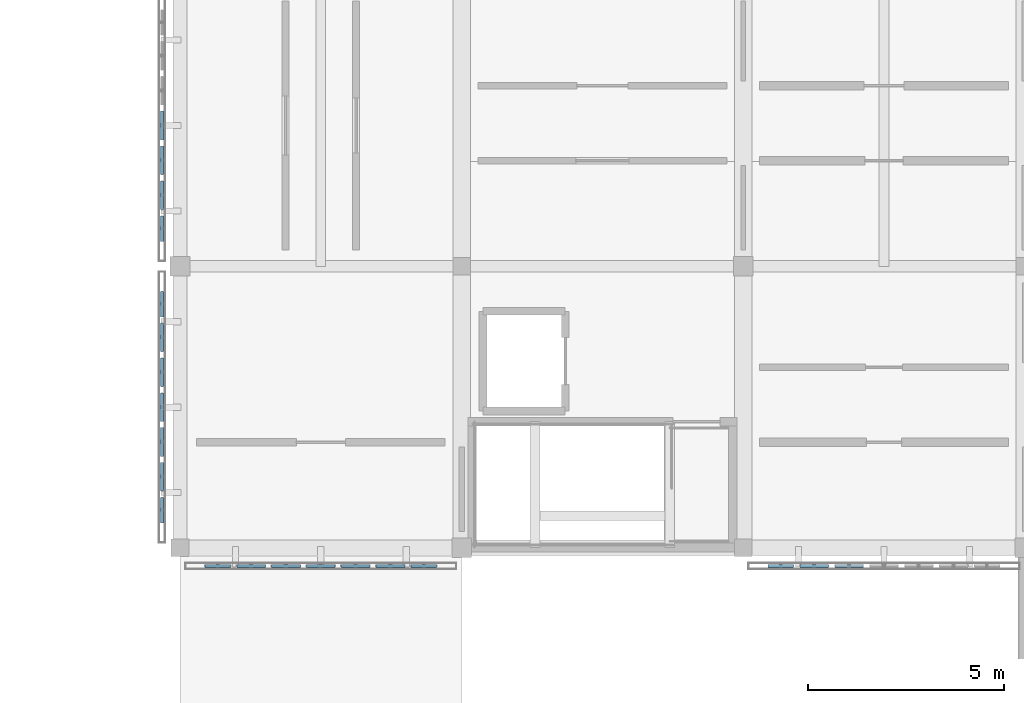
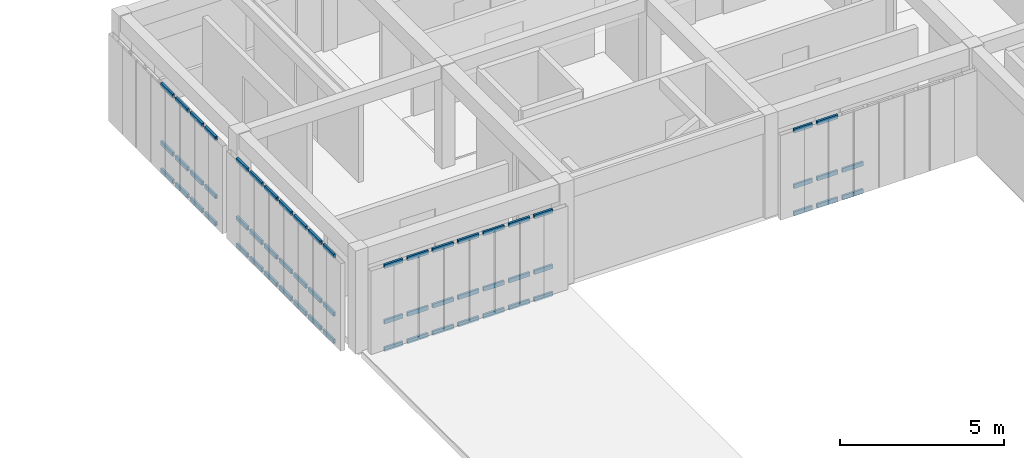
# One storey, part 13 of 33: 62 members, 4 elements without a shape of their own.
"""IFC4 building model written with IfcOpenShell, lengths in metres."""

from ifc_helpers import new_model, si_unit, direction, frame, origin, origin_2d, place, context, subcontext, project, spatial, hollow_rectangle, extrude, material, material_profile, profile_set, type_object, element, aggregate, save


model = new_model("IFC4")

# Units and contexts
model_context = context("Model", 3, precision=1e-05, world=origin(), true_north=direction((0.0, 1.0)))
body_context = subcontext(model_context, "Body", "Model", "MODEL_VIEW")
ifc_project = project(units=[si_unit("LENGTHUNIT", "METRE"), si_unit("AREAUNIT", "SQUARE_METRE"), si_unit("VOLUMEUNIT", "CUBIC_METRE"), si_unit("PLANEANGLEUNIT", "RADIAN"), si_unit("MASSUNIT", "GRAM", prefix="KILO")], contexts=[model_context])

# Site, building, storey
site_placement = place(None, origin())
site = spatial("IfcSite", under=ifc_project, at=site_placement, CompositionType="ELEMENT")
building_placement = place(site_placement, origin())
building = spatial("IfcBuilding", under=site, at=building_placement, Name="Aldebral Square Health Centre", CompositionType="ELEMENT")
storey_placement = place(building_placement, frame((0.0, 0.0, 17.550048828125)))
storey = spatial("IfcBuildingStorey", under=building, at=storey_placement, Name="L04", CompositionType="ELEMENT", Elevation=17.550048828125)

# Curtain wall, members
ifc_material_1 = material(Name="Aluminium and low-E solar glass", Category="aluminium")
curtain_wall_type = type_object("IfcCurtainWallType", Name="CW-FIN-SYS", PredefinedType="USERDEFINED", material=ifc_material_1)
curtain_wall_1_placement = place(storey_placement, origin())
curtain_wall_1 = element("IfcCurtainWall", 1, at=curtain_wall_1_placement, inside=storey, type_object=curtain_wall_type, Name="L04 V5 finned curtain wall L04-V5-19-14-S", ObjectType="SOLAR_CURTAIN_WALL", PredefinedType="USERDEFINED")
ifc_material_2 = material(Name="Anodised aluminium transom", Category="aluminium")
ifc_material_profile = material_profile(ifc_material_2, hollow_rectangle(XDim=0.074951171875, YDim=0.14990234375, WallThickness=0.00390625, at=origin_2d()), Name="CWT 75x150x4")
ifc_profile_set = profile_set([ifc_material_profile], Name="Anodised aluminium transom")
member_type = type_object("IfcMemberType", Name="CWT-STD", PredefinedType="USERDEFINED", material=ifc_profile_set)
member_1_placement = place(storey_placement, frame((137.43994140625, 100.340087890625, 0.037353515625), z_axis=(1.0, 0.0, 0.0), x_axis=(0.0, 1.0, 0.0)))
member_1 = element("IfcMember", 2, at=member_1_placement, type_object=member_type, Name="CW1 transom 1.1", ObjectType="TRANSOM", PredefinedType="USERDEFINED", context=body_context, shape_type="SweptSolid", body=[
    extrude(hollow_rectangle(XDim=0.074951171875, YDim=0.14990234375, WallThickness=0.00390625, at=origin_2d()), origin(), (0.0, 0.0, 1.0), 0.6513671875),
])
member_2_placement = place(storey_placement, frame((137.43994140625, 100.340087890625, 1.050048828125), z_axis=(1.0, 0.0, 0.0), x_axis=(0.0, 1.0, 0.0)))
member_2 = element("IfcMember", 3, at=member_2_placement, type_object=member_type, Name="CW1 transom 1.2", ObjectType="TRANSOM", PredefinedType="USERDEFINED", context=body_context, shape_type="SweptSolid", body=[
    extrude(hollow_rectangle(XDim=0.074951171875, YDim=0.14990234375, WallThickness=0.00390625, at=origin_2d()), origin(), (0.0, 0.0, 1.0), 0.6513671875),
])
member_3_placement = place(storey_placement, frame((137.43994140625, 100.340087890625, 3.112548828125), z_axis=(1.0, 0.0, 0.0), x_axis=(0.0, 1.0, 0.0)))
member_3 = element("IfcMember", 4, at=member_3_placement, type_object=member_type, Name="CW1 transom 1.3", ObjectType="TRANSOM", PredefinedType="USERDEFINED", context=body_context, shape_type="SweptSolid", body=[
    extrude(hollow_rectangle(XDim=0.074951171875, YDim=0.14990234375, WallThickness=0.00390625, at=origin_2d()), origin(), (0.0, 0.0, 1.0), 0.6513671875),
])
member_4_placement = place(storey_placement, frame((138.25146484375, 100.340087890625, 0.037353515625), z_axis=(1.0, 0.0, 0.0), x_axis=(0.0, 1.0, 0.0)))
member_4 = element("IfcMember", 5, at=member_4_placement, type_object=member_type, Name="CW1 transom 2.1", ObjectType="TRANSOM", PredefinedType="USERDEFINED", context=body_context, shape_type="SweptSolid", body=[
    extrude(hollow_rectangle(XDim=0.074951171875, YDim=0.14990234375, WallThickness=0.00390625, at=origin_2d()), origin(), (0.0, 0.0, 1.0), 0.7314453125),
])
member_5_placement = place(storey_placement, frame((138.25146484375, 100.340087890625, 1.050048828125), z_axis=(1.0, 0.0, 0.0), x_axis=(0.0, 1.0, 0.0)))
member_5 = element("IfcMember", 6, at=member_5_placement, type_object=member_type, Name="CW1 transom 2.2", ObjectType="TRANSOM", PredefinedType="USERDEFINED", context=body_context, shape_type="SweptSolid", body=[
    extrude(hollow_rectangle(XDim=0.074951171875, YDim=0.14990234375, WallThickness=0.00390625, at=origin_2d()), origin(), (0.0, 0.0, 1.0), 0.7314453125),
])
member_6_placement = place(storey_placement, frame((138.25146484375, 100.340087890625, 3.112548828125), z_axis=(1.0, 0.0, 0.0), x_axis=(0.0, 1.0, 0.0)))
member_6 = element("IfcMember", 7, at=member_6_placement, type_object=member_type, Name="CW1 transom 2.3", ObjectType="TRANSOM", PredefinedType="USERDEFINED", context=body_context, shape_type="SweptSolid", body=[
    extrude(hollow_rectangle(XDim=0.074951171875, YDim=0.14990234375, WallThickness=0.00390625, at=origin_2d()), origin(), (0.0, 0.0, 1.0), 0.7314453125),
])
member_7_placement = place(storey_placement, frame((139.142822265625, 100.340087890625, 0.037353515625), z_axis=(1.0, 0.0, 0.0), x_axis=(0.0, 1.0, 0.0)))
member_7 = element("IfcMember", 8, at=member_7_placement, type_object=member_type, Name="CW1 transom 3.1", ObjectType="TRANSOM", PredefinedType="USERDEFINED", context=body_context, shape_type="SweptSolid", body=[
    extrude(hollow_rectangle(XDim=0.074951171875, YDim=0.14990234375, WallThickness=0.00390625, at=origin_2d()), origin(), (0.0, 0.0, 1.0), 0.7314453125),
])
member_8_placement = place(storey_placement, frame((139.142822265625, 100.340087890625, 1.050048828125), z_axis=(1.0, 0.0, 0.0), x_axis=(0.0, 1.0, 0.0)))
member_8 = element("IfcMember", 9, at=member_8_placement, type_object=member_type, Name="CW1 transom 3.2", ObjectType="TRANSOM", PredefinedType="USERDEFINED", context=body_context, shape_type="SweptSolid", body=[
    extrude(hollow_rectangle(XDim=0.074951171875, YDim=0.14990234375, WallThickness=0.00390625, at=origin_2d()), origin(), (0.0, 0.0, 1.0), 0.7314453125),
])
member_9_placement = place(storey_placement, frame((139.142822265625, 100.340087890625, 3.112548828125), z_axis=(1.0, 0.0, 0.0), x_axis=(0.0, 1.0, 0.0)))
member_9 = element("IfcMember", 10, at=member_9_placement, type_object=member_type, Name="CW1 transom 3.3", ObjectType="TRANSOM", PredefinedType="USERDEFINED", context=body_context, shape_type="SweptSolid", body=[
    extrude(hollow_rectangle(XDim=0.074951171875, YDim=0.14990234375, WallThickness=0.00390625, at=origin_2d()), origin(), (0.0, 0.0, 1.0), 0.7314453125),
])
member_10_placement = place(storey_placement, frame((140.0341796875, 100.340087890625, 0.037353515625), z_axis=(1.0, 0.0, 0.0), x_axis=(0.0, 1.0, 0.0)))
member_10 = element("IfcMember", 11, at=member_10_placement, type_object=member_type, Name="CW1 transom 4.1", ObjectType="TRANSOM", PredefinedType="USERDEFINED", context=body_context, shape_type="SweptSolid", body=[
    extrude(hollow_rectangle(XDim=0.074951171875, YDim=0.14990234375, WallThickness=0.00390625, at=origin_2d()), origin(), (0.0, 0.0, 1.0), 0.7314453125),
])
member_11_placement = place(storey_placement, frame((140.0341796875, 100.340087890625, 1.050048828125), z_axis=(1.0, 0.0, 0.0), x_axis=(0.0, 1.0, 0.0)))
member_11 = element("IfcMember", 12, at=member_11_placement, type_object=member_type, Name="CW1 transom 4.2", ObjectType="TRANSOM", PredefinedType="USERDEFINED", context=body_context, shape_type="SweptSolid", body=[
    extrude(hollow_rectangle(XDim=0.074951171875, YDim=0.14990234375, WallThickness=0.00390625, at=origin_2d()), origin(), (0.0, 0.0, 1.0), 0.7314453125),
])
member_12_placement = place(storey_placement, frame((140.0341796875, 100.340087890625, 3.112548828125), z_axis=(1.0, 0.0, 0.0), x_axis=(0.0, 1.0, 0.0)))
member_12 = element("IfcMember", 13, at=member_12_placement, type_object=member_type, Name="CW1 transom 4.3", ObjectType="TRANSOM", PredefinedType="USERDEFINED", context=body_context, shape_type="SweptSolid", body=[
    extrude(hollow_rectangle(XDim=0.074951171875, YDim=0.14990234375, WallThickness=0.00390625, at=origin_2d()), origin(), (0.0, 0.0, 1.0), 0.7314453125),
])
member_13_placement = place(storey_placement, frame((140.92578125, 100.340087890625, 0.037353515625), z_axis=(1.0, 0.0, 0.0), x_axis=(0.0, 1.0, 0.0)))
member_13 = element("IfcMember", 14, at=member_13_placement, type_object=member_type, Name="CW1 transom 5.1", ObjectType="TRANSOM", PredefinedType="USERDEFINED", context=body_context, shape_type="SweptSolid", body=[
    extrude(hollow_rectangle(XDim=0.074951171875, YDim=0.14990234375, WallThickness=0.00390625, at=origin_2d()), origin(), (0.0, 0.0, 1.0), 0.7314453125),
])
member_14_placement = place(storey_placement, frame((140.92578125, 100.340087890625, 1.050048828125), z_axis=(1.0, 0.0, 0.0), x_axis=(0.0, 1.0, 0.0)))
member_14 = element("IfcMember", 15, at=member_14_placement, type_object=member_type, Name="CW1 transom 5.2", ObjectType="TRANSOM", PredefinedType="USERDEFINED", context=body_context, shape_type="SweptSolid", body=[
    extrude(hollow_rectangle(XDim=0.074951171875, YDim=0.14990234375, WallThickness=0.00390625, at=origin_2d()), origin(), (0.0, 0.0, 1.0), 0.7314453125),
])
member_15_placement = place(storey_placement, frame((140.92578125, 100.340087890625, 3.112548828125), z_axis=(1.0, 0.0, 0.0), x_axis=(0.0, 1.0, 0.0)))
member_15 = element("IfcMember", 16, at=member_15_placement, type_object=member_type, Name="CW1 transom 5.3", ObjectType="TRANSOM", PredefinedType="USERDEFINED", context=body_context, shape_type="SweptSolid", body=[
    extrude(hollow_rectangle(XDim=0.074951171875, YDim=0.14990234375, WallThickness=0.00390625, at=origin_2d()), origin(), (0.0, 0.0, 1.0), 0.7314453125),
])
member_16_placement = place(storey_placement, frame((141.817138671875, 100.340087890625, 0.037353515625), z_axis=(1.0, 0.0, 0.0), x_axis=(0.0, 1.0, 0.0)))
member_16 = element("IfcMember", 17, at=member_16_placement, type_object=member_type, Name="CW1 transom 6.1", ObjectType="TRANSOM", PredefinedType="USERDEFINED", context=body_context, shape_type="SweptSolid", body=[
    extrude(hollow_rectangle(XDim=0.074951171875, YDim=0.14990234375, WallThickness=0.00390625, at=origin_2d()), origin(), (0.0, 0.0, 1.0), 0.7314453125),
])
member_17_placement = place(storey_placement, frame((141.817138671875, 100.340087890625, 1.050048828125), z_axis=(1.0, 0.0, 0.0), x_axis=(0.0, 1.0, 0.0)))
member_17 = element("IfcMember", 18, at=member_17_placement, type_object=member_type, Name="CW1 transom 6.2", ObjectType="TRANSOM", PredefinedType="USERDEFINED", context=body_context, shape_type="SweptSolid", body=[
    extrude(hollow_rectangle(XDim=0.074951171875, YDim=0.14990234375, WallThickness=0.00390625, at=origin_2d()), origin(), (0.0, 0.0, 1.0), 0.7314453125),
])
member_18_placement = place(storey_placement, frame((141.817138671875, 100.340087890625, 3.112548828125), z_axis=(1.0, 0.0, 0.0), x_axis=(0.0, 1.0, 0.0)))
member_18 = element("IfcMember", 19, at=member_18_placement, type_object=member_type, Name="CW1 transom 6.3", ObjectType="TRANSOM", PredefinedType="USERDEFINED", context=body_context, shape_type="SweptSolid", body=[
    extrude(hollow_rectangle(XDim=0.074951171875, YDim=0.14990234375, WallThickness=0.00390625, at=origin_2d()), origin(), (0.0, 0.0, 1.0), 0.7314453125),
])
member_19_placement = place(storey_placement, frame((142.70849609375, 100.340087890625, 0.037353515625), z_axis=(1.0, 0.0, 0.0), x_axis=(0.0, 1.0, 0.0)))
member_19 = element("IfcMember", 20, at=member_19_placement, type_object=member_type, Name="CW1 transom 7.1", ObjectType="TRANSOM", PredefinedType="USERDEFINED", context=body_context, shape_type="SweptSolid", body=[
    extrude(hollow_rectangle(XDim=0.074951171875, YDim=0.14990234375, WallThickness=0.00390625, at=origin_2d()), origin(), (0.0, 0.0, 1.0), 0.651611328125),
])
member_20_placement = place(storey_placement, frame((142.70849609375, 100.340087890625, 1.050048828125), z_axis=(1.0, 0.0, 0.0), x_axis=(0.0, 1.0, 0.0)))
member_20 = element("IfcMember", 21, at=member_20_placement, type_object=member_type, Name="CW1 transom 7.2", ObjectType="TRANSOM", PredefinedType="USERDEFINED", context=body_context, shape_type="SweptSolid", body=[
    extrude(hollow_rectangle(XDim=0.074951171875, YDim=0.14990234375, WallThickness=0.00390625, at=origin_2d()), origin(), (0.0, 0.0, 1.0), 0.651611328125),
])
member_21_placement = place(storey_placement, frame((142.70849609375, 100.340087890625, 3.112548828125), z_axis=(1.0, 0.0, 0.0), x_axis=(0.0, 1.0, 0.0)))
member_21 = element("IfcMember", 22, at=member_21_placement, type_object=member_type, Name="CW1 transom 7.3", ObjectType="TRANSOM", PredefinedType="USERDEFINED", context=body_context, shape_type="SweptSolid", body=[
    extrude(hollow_rectangle(XDim=0.074951171875, YDim=0.14990234375, WallThickness=0.00390625, at=origin_2d()), origin(), (0.0, 0.0, 1.0), 0.651611328125),
])
aggregate(curtain_wall_1, [member_1, member_2, member_3, member_4, member_5, member_6, member_7, member_8, member_9, member_10, member_11, member_12, member_13, member_14, member_15, member_16, member_17, member_18, member_19, member_20, member_21])

curtain_wall_2_placement = place(storey_placement, origin())
curtain_wall_2 = element("IfcCurtainWall", 23, at=curtain_wall_2_placement, inside=storey, type_object=curtain_wall_type, Name="L04 V5 finned curtain wall L04-V5-19-14-W", ObjectType="SOLAR_CURTAIN_WALL", PredefinedType="USERDEFINED")
member_22_placement = place(storey_placement, frame((136.340087890625, 107.360107421875, 0.037353515625), z_axis=(0.0, -1.0, 0.0), x_axis=(1.0, 0.0, 0.0)))
member_22 = element("IfcMember", 24, at=member_22_placement, type_object=member_type, Name="CW1 transom 1.1", ObjectType="TRANSOM", PredefinedType="USERDEFINED", context=body_context, shape_type="SweptSolid", body=[
    extrude(hollow_rectangle(XDim=0.074951171875, YDim=0.14990234375, WallThickness=0.00390625, at=origin_2d()), origin(), (0.0, 0.0, 1.0), 0.651611328125),
])
member_23_placement = place(storey_placement, frame((136.340087890625, 107.360107421875, 1.050048828125), z_axis=(0.0, -1.0, 0.0), x_axis=(1.0, 0.0, 0.0)))
member_23 = element("IfcMember", 25, at=member_23_placement, type_object=member_type, Name="CW1 transom 1.2", ObjectType="TRANSOM", PredefinedType="USERDEFINED", context=body_context, shape_type="SweptSolid", body=[
    extrude(hollow_rectangle(XDim=0.074951171875, YDim=0.14990234375, WallThickness=0.00390625, at=origin_2d()), origin(), (0.0, 0.0, 1.0), 0.651611328125),
])
member_24_placement = place(storey_placement, frame((136.340087890625, 107.360107421875, 3.21240234375), z_axis=(0.0, -1.0, 0.0), x_axis=(1.0, 0.0, 0.0)))
member_24 = element("IfcMember", 26, at=member_24_placement, type_object=member_type, Name="CW1 transom 1.3", ObjectType="TRANSOM", PredefinedType="USERDEFINED", context=body_context, shape_type="SweptSolid", body=[
    extrude(hollow_rectangle(XDim=0.074951171875, YDim=0.14990234375, WallThickness=0.00390625, at=origin_2d()), origin(), (0.0, 0.0, 1.0), 0.651611328125),
])
member_25_placement = place(storey_placement, frame((136.340087890625, 106.548583984375, 0.037353515625), z_axis=(0.0, -1.0, 0.0), x_axis=(1.0, 0.0, 0.0)))
member_25 = element("IfcMember", 27, at=member_25_placement, type_object=member_type, Name="CW1 transom 2.1", ObjectType="TRANSOM", PredefinedType="USERDEFINED", context=body_context, shape_type="SweptSolid", body=[
    extrude(hollow_rectangle(XDim=0.074951171875, YDim=0.14990234375, WallThickness=0.00390625, at=origin_2d()), origin(), (0.0, 0.0, 1.0), 0.7314453125),
])
member_26_placement = place(storey_placement, frame((136.340087890625, 106.548583984375, 1.050048828125), z_axis=(0.0, -1.0, 0.0), x_axis=(1.0, 0.0, 0.0)))
member_26 = element("IfcMember", 28, at=member_26_placement, type_object=member_type, Name="CW1 transom 2.2", ObjectType="TRANSOM", PredefinedType="USERDEFINED", context=body_context, shape_type="SweptSolid", body=[
    extrude(hollow_rectangle(XDim=0.074951171875, YDim=0.14990234375, WallThickness=0.00390625, at=origin_2d()), origin(), (0.0, 0.0, 1.0), 0.7314453125),
])
member_27_placement = place(storey_placement, frame((136.340087890625, 106.548583984375, 3.21240234375), z_axis=(0.0, -1.0, 0.0), x_axis=(1.0, 0.0, 0.0)))
member_27 = element("IfcMember", 29, at=member_27_placement, type_object=member_type, Name="CW1 transom 2.3", ObjectType="TRANSOM", PredefinedType="USERDEFINED", context=body_context, shape_type="SweptSolid", body=[
    extrude(hollow_rectangle(XDim=0.074951171875, YDim=0.14990234375, WallThickness=0.00390625, at=origin_2d()), origin(), (0.0, 0.0, 1.0), 0.7314453125),
])
member_28_placement = place(storey_placement, frame((136.340087890625, 105.6572265625, 0.037353515625), z_axis=(0.0, -1.0, 0.0), x_axis=(1.0, 0.0, 0.0)))
member_28 = element("IfcMember", 30, at=member_28_placement, type_object=member_type, Name="CW1 transom 3.1", ObjectType="TRANSOM", PredefinedType="USERDEFINED", context=body_context, shape_type="SweptSolid", body=[
    extrude(hollow_rectangle(XDim=0.074951171875, YDim=0.14990234375, WallThickness=0.00390625, at=origin_2d()), origin(), (0.0, 0.0, 1.0), 0.7314453125),
])
member_29_placement = place(storey_placement, frame((136.340087890625, 105.6572265625, 1.050048828125), z_axis=(0.0, -1.0, 0.0), x_axis=(1.0, 0.0, 0.0)))
member_29 = element("IfcMember", 31, at=member_29_placement, type_object=member_type, Name="CW1 transom 3.2", ObjectType="TRANSOM", PredefinedType="USERDEFINED", context=body_context, shape_type="SweptSolid", body=[
    extrude(hollow_rectangle(XDim=0.074951171875, YDim=0.14990234375, WallThickness=0.00390625, at=origin_2d()), origin(), (0.0, 0.0, 1.0), 0.7314453125),
])
member_30_placement = place(storey_placement, frame((136.340087890625, 105.6572265625, 3.21240234375), z_axis=(0.0, -1.0, 0.0), x_axis=(1.0, 0.0, 0.0)))
member_30 = element("IfcMember", 32, at=member_30_placement, type_object=member_type, Name="CW1 transom 3.3", ObjectType="TRANSOM", PredefinedType="USERDEFINED", context=body_context, shape_type="SweptSolid", body=[
    extrude(hollow_rectangle(XDim=0.074951171875, YDim=0.14990234375, WallThickness=0.00390625, at=origin_2d()), origin(), (0.0, 0.0, 1.0), 0.7314453125),
])
member_31_placement = place(storey_placement, frame((136.340087890625, 104.765625, 0.037353515625), z_axis=(0.0, -1.0, 0.0), x_axis=(1.0, 0.0, 0.0)))
member_31 = element("IfcMember", 33, at=member_31_placement, type_object=member_type, Name="CW1 transom 4.1", ObjectType="TRANSOM", PredefinedType="USERDEFINED", context=body_context, shape_type="SweptSolid", body=[
    extrude(hollow_rectangle(XDim=0.074951171875, YDim=0.14990234375, WallThickness=0.00390625, at=origin_2d()), origin(), (0.0, 0.0, 1.0), 0.7314453125),
])
member_32_placement = place(storey_placement, frame((136.340087890625, 104.765625, 1.050048828125), z_axis=(0.0, -1.0, 0.0), x_axis=(1.0, 0.0, 0.0)))
member_32 = element("IfcMember", 34, at=member_32_placement, type_object=member_type, Name="CW1 transom 4.2", ObjectType="TRANSOM", PredefinedType="USERDEFINED", context=body_context, shape_type="SweptSolid", body=[
    extrude(hollow_rectangle(XDim=0.074951171875, YDim=0.14990234375, WallThickness=0.00390625, at=origin_2d()), origin(), (0.0, 0.0, 1.0), 0.7314453125),
])
member_33_placement = place(storey_placement, frame((136.340087890625, 104.765625, 3.21240234375), z_axis=(0.0, -1.0, 0.0), x_axis=(1.0, 0.0, 0.0)))
member_33 = element("IfcMember", 35, at=member_33_placement, type_object=member_type, Name="CW1 transom 4.3", ObjectType="TRANSOM", PredefinedType="USERDEFINED", context=body_context, shape_type="SweptSolid", body=[
    extrude(hollow_rectangle(XDim=0.074951171875, YDim=0.14990234375, WallThickness=0.00390625, at=origin_2d()), origin(), (0.0, 0.0, 1.0), 0.7314453125),
])
member_34_placement = place(storey_placement, frame((136.340087890625, 103.874267578125, 0.037353515625), z_axis=(0.0, -1.0, 0.0), x_axis=(1.0, 0.0, 0.0)))
member_34 = element("IfcMember", 36, at=member_34_placement, type_object=member_type, Name="CW1 transom 5.1", ObjectType="TRANSOM", PredefinedType="USERDEFINED", context=body_context, shape_type="SweptSolid", body=[
    extrude(hollow_rectangle(XDim=0.074951171875, YDim=0.14990234375, WallThickness=0.00390625, at=origin_2d()), origin(), (0.0, 0.0, 1.0), 0.7314453125),
])
member_35_placement = place(storey_placement, frame((136.340087890625, 103.874267578125, 1.050048828125), z_axis=(0.0, -1.0, 0.0), x_axis=(1.0, 0.0, 0.0)))
member_35 = element("IfcMember", 37, at=member_35_placement, type_object=member_type, Name="CW1 transom 5.2", ObjectType="TRANSOM", PredefinedType="USERDEFINED", context=body_context, shape_type="SweptSolid", body=[
    extrude(hollow_rectangle(XDim=0.074951171875, YDim=0.14990234375, WallThickness=0.00390625, at=origin_2d()), origin(), (0.0, 0.0, 1.0), 0.7314453125),
])
member_36_placement = place(storey_placement, frame((136.340087890625, 103.874267578125, 3.21240234375), z_axis=(0.0, -1.0, 0.0), x_axis=(1.0, 0.0, 0.0)))
member_36 = element("IfcMember", 38, at=member_36_placement, type_object=member_type, Name="CW1 transom 5.3", ObjectType="TRANSOM", PredefinedType="USERDEFINED", context=body_context, shape_type="SweptSolid", body=[
    extrude(hollow_rectangle(XDim=0.074951171875, YDim=0.14990234375, WallThickness=0.00390625, at=origin_2d()), origin(), (0.0, 0.0, 1.0), 0.7314453125),
])
member_37_placement = place(storey_placement, frame((136.340087890625, 102.98291015625, 0.037353515625), z_axis=(0.0, -1.0, 0.0), x_axis=(1.0, 0.0, 0.0)))
member_37 = element("IfcMember", 39, at=member_37_placement, type_object=member_type, Name="CW1 transom 6.1", ObjectType="TRANSOM", PredefinedType="USERDEFINED", context=body_context, shape_type="SweptSolid", body=[
    extrude(hollow_rectangle(XDim=0.074951171875, YDim=0.14990234375, WallThickness=0.00390625, at=origin_2d()), origin(), (0.0, 0.0, 1.0), 0.7314453125),
])
member_38_placement = place(storey_placement, frame((136.340087890625, 102.98291015625, 1.050048828125), z_axis=(0.0, -1.0, 0.0), x_axis=(1.0, 0.0, 0.0)))
member_38 = element("IfcMember", 40, at=member_38_placement, type_object=member_type, Name="CW1 transom 6.2", ObjectType="TRANSOM", PredefinedType="USERDEFINED", context=body_context, shape_type="SweptSolid", body=[
    extrude(hollow_rectangle(XDim=0.074951171875, YDim=0.14990234375, WallThickness=0.00390625, at=origin_2d()), origin(), (0.0, 0.0, 1.0), 0.7314453125),
])
member_39_placement = place(storey_placement, frame((136.340087890625, 102.98291015625, 3.21240234375), z_axis=(0.0, -1.0, 0.0), x_axis=(1.0, 0.0, 0.0)))
member_39 = element("IfcMember", 41, at=member_39_placement, type_object=member_type, Name="CW1 transom 6.3", ObjectType="TRANSOM", PredefinedType="USERDEFINED", context=body_context, shape_type="SweptSolid", body=[
    extrude(hollow_rectangle(XDim=0.074951171875, YDim=0.14990234375, WallThickness=0.00390625, at=origin_2d()), origin(), (0.0, 0.0, 1.0), 0.7314453125),
])
member_40_placement = place(storey_placement, frame((136.340087890625, 102.09130859375, 0.037353515625), z_axis=(0.0, -1.0, 0.0), x_axis=(1.0, 0.0, 0.0)))
member_40 = element("IfcMember", 42, at=member_40_placement, type_object=member_type, Name="CW1 transom 7.1", ObjectType="TRANSOM", PredefinedType="USERDEFINED", context=body_context, shape_type="SweptSolid", body=[
    extrude(hollow_rectangle(XDim=0.074951171875, YDim=0.14990234375, WallThickness=0.00390625, at=origin_2d()), origin(), (0.0, 0.0, 1.0), 0.6513671875),
])
member_41_placement = place(storey_placement, frame((136.340087890625, 102.09130859375, 1.050048828125), z_axis=(0.0, -1.0, 0.0), x_axis=(1.0, 0.0, 0.0)))
member_41 = element("IfcMember", 43, at=member_41_placement, type_object=member_type, Name="CW1 transom 7.2", ObjectType="TRANSOM", PredefinedType="USERDEFINED", context=body_context, shape_type="SweptSolid", body=[
    extrude(hollow_rectangle(XDim=0.074951171875, YDim=0.14990234375, WallThickness=0.00390625, at=origin_2d()), origin(), (0.0, 0.0, 1.0), 0.6513671875),
])
member_42_placement = place(storey_placement, frame((136.340087890625, 102.09130859375, 3.21240234375), z_axis=(0.0, -1.0, 0.0), x_axis=(1.0, 0.0, 0.0)))
member_42 = element("IfcMember", 44, at=member_42_placement, type_object=member_type, Name="CW1 transom 7.3", ObjectType="TRANSOM", PredefinedType="USERDEFINED", context=body_context, shape_type="SweptSolid", body=[
    extrude(hollow_rectangle(XDim=0.074951171875, YDim=0.14990234375, WallThickness=0.00390625, at=origin_2d()), origin(), (0.0, 0.0, 1.0), 0.6513671875),
])
aggregate(curtain_wall_2, [member_22, member_23, member_24, member_25, member_26, member_27, member_28, member_29, member_30, member_31, member_32, member_33, member_34, member_35, member_36, member_37, member_38, member_39, member_40, member_41, member_42])

curtain_wall_3_placement = place(storey_placement, origin())
curtain_wall_3 = element("IfcCurtainWall", 45, at=curtain_wall_3_placement, inside=storey, type_object=curtain_wall_type, Name="L04 V5 finned curtain wall L04-V5-19-15-W", ObjectType="SOLAR_CURTAIN_WALL", PredefinedType="USERDEFINED")
member_43_placement = place(storey_placement, frame((136.340087890625, 111.9658203125, 0.037353515625), z_axis=(0.0, -1.0, 0.0), x_axis=(1.0, 0.0, 0.0)))
member_43 = element("IfcMember", 46, at=member_43_placement, type_object=member_type, Name="CW1 transom 4.1", ObjectType="TRANSOM", PredefinedType="USERDEFINED", context=body_context, shape_type="SweptSolid", body=[
    extrude(hollow_rectangle(XDim=0.074951171875, YDim=0.14990234375, WallThickness=0.00390625, at=origin_2d()), origin(), (0.0, 0.0, 1.0), 0.7314453125),
])
member_44_placement = place(storey_placement, frame((136.340087890625, 111.9658203125, 1.050048828125), z_axis=(0.0, -1.0, 0.0), x_axis=(1.0, 0.0, 0.0)))
member_44 = element("IfcMember", 47, at=member_44_placement, type_object=member_type, Name="CW1 transom 4.2", ObjectType="TRANSOM", PredefinedType="USERDEFINED", context=body_context, shape_type="SweptSolid", body=[
    extrude(hollow_rectangle(XDim=0.074951171875, YDim=0.14990234375, WallThickness=0.00390625, at=origin_2d()), origin(), (0.0, 0.0, 1.0), 0.7314453125),
])
member_45_placement = place(storey_placement, frame((136.340087890625, 111.9658203125, 3.21240234375), z_axis=(0.0, -1.0, 0.0), x_axis=(1.0, 0.0, 0.0)))
member_45 = element("IfcMember", 48, at=member_45_placement, type_object=member_type, Name="CW1 transom 4.3", ObjectType="TRANSOM", PredefinedType="USERDEFINED", context=body_context, shape_type="SweptSolid", body=[
    extrude(hollow_rectangle(XDim=0.074951171875, YDim=0.14990234375, WallThickness=0.00390625, at=origin_2d()), origin(), (0.0, 0.0, 1.0), 0.7314453125),
])
member_46_placement = place(storey_placement, frame((136.340087890625, 111.07421875, 0.037353515625), z_axis=(0.0, -1.0, 0.0), x_axis=(1.0, 0.0, 0.0)))
member_46 = element("IfcMember", 49, at=member_46_placement, type_object=member_type, Name="CW1 transom 5.1", ObjectType="TRANSOM", PredefinedType="USERDEFINED", context=body_context, shape_type="SweptSolid", body=[
    extrude(hollow_rectangle(XDim=0.074951171875, YDim=0.14990234375, WallThickness=0.00390625, at=origin_2d()), origin(), (0.0, 0.0, 1.0), 0.7314453125),
])
member_47_placement = place(storey_placement, frame((136.340087890625, 111.07421875, 1.050048828125), z_axis=(0.0, -1.0, 0.0), x_axis=(1.0, 0.0, 0.0)))
member_47 = element("IfcMember", 50, at=member_47_placement, type_object=member_type, Name="CW1 transom 5.2", ObjectType="TRANSOM", PredefinedType="USERDEFINED", context=body_context, shape_type="SweptSolid", body=[
    extrude(hollow_rectangle(XDim=0.074951171875, YDim=0.14990234375, WallThickness=0.00390625, at=origin_2d()), origin(), (0.0, 0.0, 1.0), 0.7314453125),
])
member_48_placement = place(storey_placement, frame((136.340087890625, 111.07421875, 3.21240234375), z_axis=(0.0, -1.0, 0.0), x_axis=(1.0, 0.0, 0.0)))
member_48 = element("IfcMember", 51, at=member_48_placement, type_object=member_type, Name="CW1 transom 5.3", ObjectType="TRANSOM", PredefinedType="USERDEFINED", context=body_context, shape_type="SweptSolid", body=[
    extrude(hollow_rectangle(XDim=0.074951171875, YDim=0.14990234375, WallThickness=0.00390625, at=origin_2d()), origin(), (0.0, 0.0, 1.0), 0.7314453125),
])
member_49_placement = place(storey_placement, frame((136.340087890625, 110.182861328125, 0.037353515625), z_axis=(0.0, -1.0, 0.0), x_axis=(1.0, 0.0, 0.0)))
member_49 = element("IfcMember", 52, at=member_49_placement, type_object=member_type, Name="CW1 transom 6.1", ObjectType="TRANSOM", PredefinedType="USERDEFINED", context=body_context, shape_type="SweptSolid", body=[
    extrude(hollow_rectangle(XDim=0.074951171875, YDim=0.14990234375, WallThickness=0.00390625, at=origin_2d()), origin(), (0.0, 0.0, 1.0), 0.7314453125),
])
member_50_placement = place(storey_placement, frame((136.340087890625, 110.182861328125, 1.050048828125), z_axis=(0.0, -1.0, 0.0), x_axis=(1.0, 0.0, 0.0)))
member_50 = element("IfcMember", 53, at=member_50_placement, type_object=member_type, Name="CW1 transom 6.2", ObjectType="TRANSOM", PredefinedType="USERDEFINED", context=body_context, shape_type="SweptSolid", body=[
    extrude(hollow_rectangle(XDim=0.074951171875, YDim=0.14990234375, WallThickness=0.00390625, at=origin_2d()), origin(), (0.0, 0.0, 1.0), 0.7314453125),
])
member_51_placement = place(storey_placement, frame((136.340087890625, 110.182861328125, 3.21240234375), z_axis=(0.0, -1.0, 0.0), x_axis=(1.0, 0.0, 0.0)))
member_51 = element("IfcMember", 54, at=member_51_placement, type_object=member_type, Name="CW1 transom 6.3", ObjectType="TRANSOM", PredefinedType="USERDEFINED", context=body_context, shape_type="SweptSolid", body=[
    extrude(hollow_rectangle(XDim=0.074951171875, YDim=0.14990234375, WallThickness=0.00390625, at=origin_2d()), origin(), (0.0, 0.0, 1.0), 0.7314453125),
])
member_52_placement = place(storey_placement, frame((136.340087890625, 109.29150390625, 0.037353515625), z_axis=(0.0, -1.0, 0.0), x_axis=(1.0, 0.0, 0.0)))
member_52 = element("IfcMember", 55, at=member_52_placement, type_object=member_type, Name="CW1 transom 7.1", ObjectType="TRANSOM", PredefinedType="USERDEFINED", context=body_context, shape_type="SweptSolid", body=[
    extrude(hollow_rectangle(XDim=0.074951171875, YDim=0.14990234375, WallThickness=0.00390625, at=origin_2d()), origin(), (0.0, 0.0, 1.0), 0.651611328125),
])
member_53_placement = place(storey_placement, frame((136.340087890625, 109.29150390625, 1.050048828125), z_axis=(0.0, -1.0, 0.0), x_axis=(1.0, 0.0, 0.0)))
member_53 = element("IfcMember", 56, at=member_53_placement, type_object=member_type, Name="CW1 transom 7.2", ObjectType="TRANSOM", PredefinedType="USERDEFINED", context=body_context, shape_type="SweptSolid", body=[
    extrude(hollow_rectangle(XDim=0.074951171875, YDim=0.14990234375, WallThickness=0.00390625, at=origin_2d()), origin(), (0.0, 0.0, 1.0), 0.651611328125),
])
member_54_placement = place(storey_placement, frame((136.340087890625, 109.29150390625, 3.21240234375), z_axis=(0.0, -1.0, 0.0), x_axis=(1.0, 0.0, 0.0)))
member_54 = element("IfcMember", 57, at=member_54_placement, type_object=member_type, Name="CW1 transom 7.3", ObjectType="TRANSOM", PredefinedType="USERDEFINED", context=body_context, shape_type="SweptSolid", body=[
    extrude(hollow_rectangle(XDim=0.074951171875, YDim=0.14990234375, WallThickness=0.00390625, at=origin_2d()), origin(), (0.0, 0.0, 1.0), 0.651611328125),
])
aggregate(curtain_wall_3, [member_43, member_44, member_45, member_46, member_47, member_48, member_49, member_50, member_51, member_52, member_53, member_54])

curtain_wall_4_placement = place(storey_placement, origin())
curtain_wall_4 = element("IfcCurtainWall", 58, at=curtain_wall_4_placement, inside=storey, type_object=curtain_wall_type, Name="L04 V5 finned curtain wall L04-V5-21-14-S", ObjectType="SOLAR_CURTAIN_WALL", PredefinedType="USERDEFINED")
member_55_placement = place(storey_placement, frame((151.840087890625, 100.340087890625, 0.037353515625), z_axis=(1.0, 0.0, 0.0), x_axis=(0.0, 1.0, 0.0)))
member_55 = element("IfcMember", 59, at=member_55_placement, type_object=member_type, Name="CW1 transom 1.1", ObjectType="TRANSOM", PredefinedType="USERDEFINED", context=body_context, shape_type="SweptSolid", body=[
    extrude(hollow_rectangle(XDim=0.074951171875, YDim=0.14990234375, WallThickness=0.00390625, at=origin_2d()), origin(), (0.0, 0.0, 1.0), 0.6513671875),
])
member_56_placement = place(storey_placement, frame((151.840087890625, 100.340087890625, 1.050048828125), z_axis=(1.0, 0.0, 0.0), x_axis=(0.0, 1.0, 0.0)))
member_56 = element("IfcMember", 60, at=member_56_placement, type_object=member_type, Name="CW1 transom 1.2", ObjectType="TRANSOM", PredefinedType="USERDEFINED", context=body_context, shape_type="SweptSolid", body=[
    extrude(hollow_rectangle(XDim=0.074951171875, YDim=0.14990234375, WallThickness=0.00390625, at=origin_2d()), origin(), (0.0, 0.0, 1.0), 0.6513671875),
])
member_57_placement = place(storey_placement, frame((151.840087890625, 100.340087890625, 3.112548828125), z_axis=(1.0, 0.0, 0.0), x_axis=(0.0, 1.0, 0.0)))
member_57 = element("IfcMember", 61, at=member_57_placement, type_object=member_type, Name="CW1 transom 1.3", ObjectType="TRANSOM", PredefinedType="USERDEFINED", context=body_context, shape_type="SweptSolid", body=[
    extrude(hollow_rectangle(XDim=0.074951171875, YDim=0.14990234375, WallThickness=0.00390625, at=origin_2d()), origin(), (0.0, 0.0, 1.0), 0.6513671875),
])
member_58_placement = place(storey_placement, frame((152.6513671875, 100.340087890625, 0.037353515625), z_axis=(1.0, 0.0, 0.0), x_axis=(0.0, 1.0, 0.0)))
member_58 = element("IfcMember", 62, at=member_58_placement, type_object=member_type, Name="CW1 transom 2.1", ObjectType="TRANSOM", PredefinedType="USERDEFINED", context=body_context, shape_type="SweptSolid", body=[
    extrude(hollow_rectangle(XDim=0.074951171875, YDim=0.14990234375, WallThickness=0.00390625, at=origin_2d()), origin(), (0.0, 0.0, 1.0), 0.7314453125),
])
member_59_placement = place(storey_placement, frame((152.6513671875, 100.340087890625, 1.050048828125), z_axis=(1.0, 0.0, 0.0), x_axis=(0.0, 1.0, 0.0)))
member_59 = element("IfcMember", 63, at=member_59_placement, type_object=member_type, Name="CW1 transom 2.2", ObjectType="TRANSOM", PredefinedType="USERDEFINED", context=body_context, shape_type="SweptSolid", body=[
    extrude(hollow_rectangle(XDim=0.074951171875, YDim=0.14990234375, WallThickness=0.00390625, at=origin_2d()), origin(), (0.0, 0.0, 1.0), 0.7314453125),
])
member_60_placement = place(storey_placement, frame((152.6513671875, 100.340087890625, 3.112548828125), z_axis=(1.0, 0.0, 0.0), x_axis=(0.0, 1.0, 0.0)))
member_60 = element("IfcMember", 64, at=member_60_placement, type_object=member_type, Name="CW1 transom 2.3", ObjectType="TRANSOM", PredefinedType="USERDEFINED", context=body_context, shape_type="SweptSolid", body=[
    extrude(hollow_rectangle(XDim=0.074951171875, YDim=0.14990234375, WallThickness=0.00390625, at=origin_2d()), origin(), (0.0, 0.0, 1.0), 0.7314453125),
])
member_61_placement = place(storey_placement, frame((153.54296875, 100.340087890625, 0.037353515625), z_axis=(1.0, 0.0, 0.0), x_axis=(0.0, 1.0, 0.0)))
member_61 = element("IfcMember", 65, at=member_61_placement, type_object=member_type, Name="CW1 transom 3.1", ObjectType="TRANSOM", PredefinedType="USERDEFINED", context=body_context, shape_type="SweptSolid", body=[
    extrude(hollow_rectangle(XDim=0.074951171875, YDim=0.14990234375, WallThickness=0.00390625, at=origin_2d()), origin(), (0.0, 0.0, 1.0), 0.731201171875),
])
member_62_placement = place(storey_placement, frame((153.54296875, 100.340087890625, 1.050048828125), z_axis=(1.0, 0.0, 0.0), x_axis=(0.0, 1.0, 0.0)))
member_62 = element("IfcMember", 66, at=member_62_placement, type_object=member_type, Name="CW1 transom 3.2", ObjectType="TRANSOM", PredefinedType="USERDEFINED", context=body_context, shape_type="SweptSolid", body=[
    extrude(hollow_rectangle(XDim=0.074951171875, YDim=0.14990234375, WallThickness=0.00390625, at=origin_2d()), origin(), (0.0, 0.0, 1.0), 0.731201171875),
])
aggregate(curtain_wall_4, [member_55, member_56, member_57, member_58, member_59, member_60, member_61, member_62])

save(model, "model.ifc")
